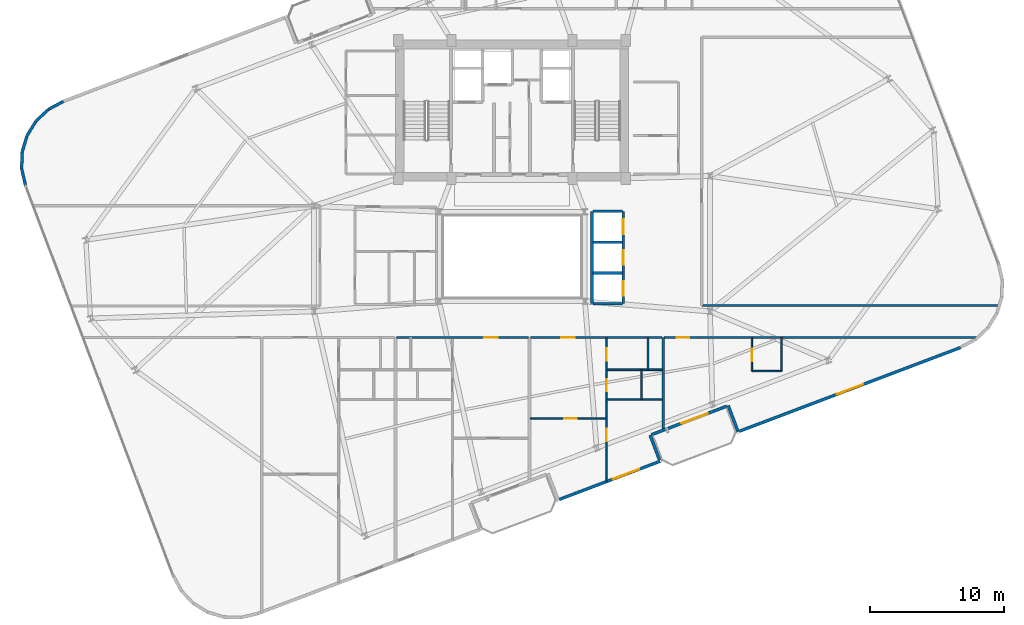
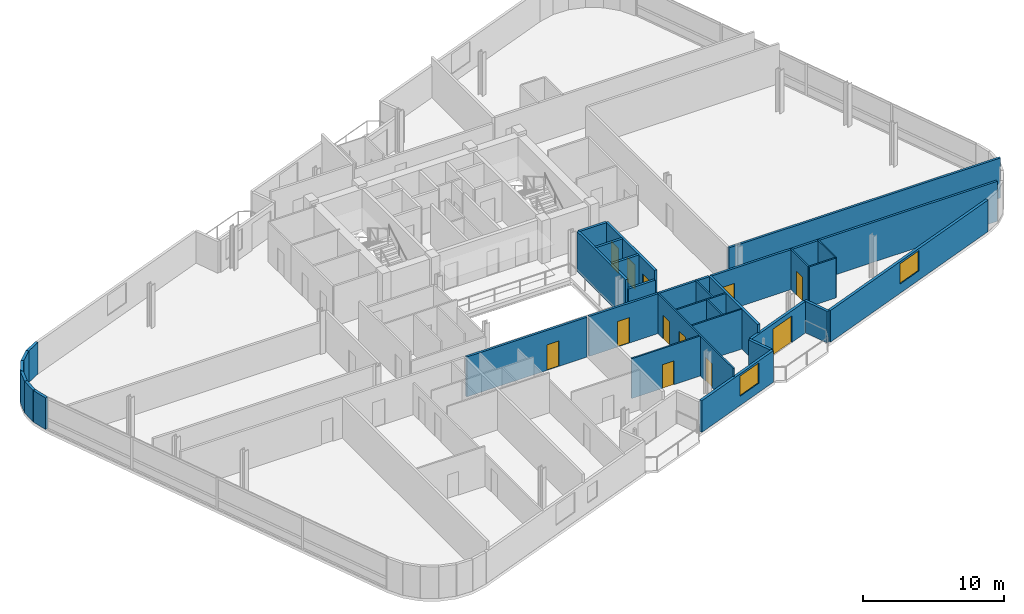
# One storey, part 15 of 20: 31 walls, 12 doors, 2 windows, 14 openings.
"""IFC4 building model written with IfcOpenShell, lengths in metres."""

from ifc_helpers import new_model, si_unit, direction, frame, frame_2d, origin, place, context, subcontext, project, spatial, rectangle, extrude, material, layer, layer_set, type_object, element, fill, save


model = new_model("IFC4")

# Units and contexts
model_context = context("Model", 3, precision=1e-05, world=origin(), true_north=direction((0.0, 1.0)))
body_context = subcontext(model_context, "Body", "Model", "MODEL_VIEW")
ifc_project = project(units=[si_unit("LENGTHUNIT", "METRE"), si_unit("AREAUNIT", "SQUARE_METRE"), si_unit("VOLUMEUNIT", "CUBIC_METRE"), si_unit("PLANEANGLEUNIT", "RADIAN"), si_unit("MASSUNIT", "GRAM", prefix="KILO")], contexts=[model_context])

# Site, building, storey
site_placement = place(None, origin())
site = spatial("IfcSite", under=ifc_project, at=site_placement, CompositionType="ELEMENT")
building_placement = place(site_placement, origin())
building = spatial("IfcBuilding", under=site, at=building_placement, Name="Varnelok Gate Tower", CompositionType="ELEMENT")
storey_placement = place(building_placement, frame((0.0, 0.0, 220.10009765625)))
storey = spatial("IfcBuildingStorey", under=building, at=storey_placement, Name="L56", CompositionType="ELEMENT", Elevation=220.10009765625)

# Wall, opening, door
ifc_material_1 = material(Name="Concrete C45/55", Category="concrete")
ifc_layer_1 = layer(ifc_material_1, 0.219970703125)
ifc_layer_set_1 = layer_set([ifc_layer_1], Name="Concrete C45/55")
wall_type_1 = type_object("IfcWallType", Name="EW-BALC-220", PredefinedType="SOLIDWALL", material=ifc_layer_set_1)
wall_1_placement = place(storey_placement, frame((55.25048828125, 11.712646484375, 0.0), z_axis=(0.0, 0.0, 1.0), x_axis=(-0.935227640088, -0.354046976001, 0.0)))
wall_1 = element("IfcWall", 1, at=wall_1_placement, inside=storey, type_object=wall_type_1, Name="L56 South Terrace Envelope Wall 2", PredefinedType="SOLIDWALL", context=body_context, shape_type="SweptSolid", body=[
    extrude(rectangle(XDim=6.0, YDim=0.219970703125, at=frame_2d((3.0, 0.0))), origin(), (0.0, 0.0, 1.0), 2.72998046875),
])
opening_1_placement = place(wall_1_placement, frame((1.51611328125, 0.0, 0.0)))
opening_1 = element("IfcOpeningElement", 2, at=opening_1_placement, cuts=wall_1, Name="Opening BD-2", PredefinedType="OPENING", context=body_context, shape_type="SweptSolid", body=[
    extrude(rectangle(XDim=2.10009765625, YDim=2.300048828125, at=frame_2d((1.050048828125, 1.14990234375))), frame((0.0, 0.119873046875, 0.0), z_axis=(0.0, -1.0, 0.0), x_axis=(1.0, 0.0, 0.0)), (0.0, 0.0, 1.0), 0.239990234375),
])
ifc_material_2 = material(Name="Anodized Aluminum Alloy 6063-T6", Category="aluminium")
door_type_1 = type_object("IfcDoorType", Name="DR-EXT-SLID2100", OperationType="SLIDING_TO_LEFT", PredefinedType="DOOR", material=ifc_material_2)
door_1_placement = place(opening_1_placement, origin())
door_1 = element("IfcDoor", 3, at=door_1_placement, inside=storey, type_object=door_type_1, Name="L56 South Balcony Glazed Door 2", OperationType="SLIDING_TO_LEFT", OverallHeight=2.300048828125, OverallWidth=2.10009765625, PredefinedType="DOOR", context=body_context, shape_type="SweptSolid", body=[
    extrude(rectangle(XDim=2.10009765625, YDim=2.300048828125, at=frame_2d((1.050048828125, 1.14990234375))), frame((0.0, 0.02490234375, 0.0), z_axis=(0.0, -1.0, 0.0), x_axis=(1.0, 0.0, 0.0)), (0.0, 0.0, 1.0), 0.050048828125),
])
fill(opening_1, door_1)

# Wall, opening, window
wall_2_placement = place(storey_placement, frame((42.75244140625, 4.746337890625, 0.0), z_axis=(0.0, 0.0, 1.0), x_axis=(0.935216926991, 0.354075273733, 0.0)))
wall_2 = element("IfcWall", 4, at=wall_2_placement, inside=storey, type_object=wall_type_1, Name="L56 Perimeter Facade Closure Wall 10", PredefinedType="SOLIDWALL", context=body_context, shape_type="SweptSolid", body=[
    extrude(rectangle(XDim=8.034912109375, YDim=0.219970703125, at=frame_2d((4.017578125, 0.0))), origin(), (0.0, 0.0, 1.0), 2.72998046875),
])
opening_2_placement = place(wall_2_placement, frame((4.273193359375, 0.0, 0.800048828125)))
opening_2 = element("IfcOpeningElement", 5, at=opening_2_placement, cuts=wall_2, Name="Opening WN4", PredefinedType="OPENING", context=body_context, shape_type="SweptSolid", body=[
    extrude(rectangle(XDim=2.10009765625, YDim=1.75, at=frame_2d((1.050048828125, 0.875))), frame((0.0, 0.119873046875, 0.0), z_axis=(0.0, -1.0, 0.0), x_axis=(1.0, 0.0, 0.0)), (0.0, 0.0, 1.0), 0.239990234375),
])
ifc_material_3 = material(Name="Low-E Laminated Double Glazing IGU", Category="glass")
window_type = type_object("IfcWindowType", Name="WN-SUI-2100", PartitioningType="SINGLE_PANEL", PredefinedType="WINDOW", material=ifc_material_3)
window_1_placement = place(opening_2_placement, origin())
window_1 = element("IfcWindow", 6, at=window_1_placement, inside=storey, type_object=window_type, Name="L56 Perimeter Vision Window 10", OverallHeight=1.75, OverallWidth=2.10009765625, PartitioningType="SINGLE_PANEL", PredefinedType="WINDOW", context=body_context, shape_type="SweptSolid", body=[
    extrude(rectangle(XDim=2.10009765625, YDim=1.75, at=frame_2d((1.050048828125, 0.875))), frame((0.0, 0.030029296875, 0.0), z_axis=(0.0, -1.0, 0.0), x_axis=(1.0, 0.0, 0.0)), (0.0, 0.0, 1.0), 0.06005859375),
])
fill(opening_2, window_1)

# Walls
wall_3_placement = place(storey_placement, frame((50.22265625, 7.7080078125, 0.0), z_axis=(0.0, 0.0, 1.0), x_axis=(-0.354020680661, 0.935237594232, 0.0)))
element("IfcWall", 7, at=wall_3_placement, inside=storey, type_object=wall_type_1, Name="L56 Perimeter Facade Closure Wall 11", PredefinedType="SOLIDWALL", context=body_context, shape_type="SweptSolid", body=[
    extrude(rectangle(XDim=1.97509765625, YDim=0.219970703125, at=frame_2d((0.987548828125, 0.0))), origin(), (0.0, 0.0, 1.0), 2.72998046875),
])
wall_4_placement = place(storey_placement, frame((55.359130859375, 11.764404296875, 0.0), z_axis=(0.0, 0.0, 1.0), x_axis=(0.354026782794, -0.935235284334, 0.0)))
element("IfcWall", 8, at=wall_4_placement, inside=storey, type_object=wall_type_1, Name="L56 Perimeter Facade Closure Wall 12", PredefinedType="SOLIDWALL", context=body_context, shape_type="SweptSolid", body=[
    extrude(rectangle(XDim=2.099853515625, YDim=0.219970703125, at=frame_2d((1.0498046875, 0.0))), origin(), (0.0, 0.0, 1.0), 2.72998046875),
])

# Wall, opening, window
wall_5_placement = place(storey_placement, frame((56.219482421875, 9.844970703125, 0.0), z_axis=(0.0, 0.0, 1.0), x_axis=(0.935225601791, 0.354052360188, 0.0)))
wall_5 = element("IfcWall", 9, at=wall_5_placement, inside=storey, type_object=wall_type_1, Name="L56 Perimeter Facade Closure Wall 13", PredefinedType="SOLIDWALL", context=body_context, shape_type="SweptSolid", body=[
    extrude(rectangle(XDim=17.647216796875, YDim=0.219970703125, at=frame_2d((8.82373046875, 0.0))), origin(), (0.0, 0.0, 1.0), 2.72998046875),
])
opening_3_placement = place(wall_5_placement, frame((7.773681640625, 0.0, 0.800048828125)))
opening_3 = element("IfcOpeningElement", 10, at=opening_3_placement, cuts=wall_5, Name="Opening WN4", PredefinedType="OPENING", context=body_context, shape_type="SweptSolid", body=[
    extrude(rectangle(XDim=2.10009765625, YDim=1.75, at=frame_2d((1.050048828125, 0.875))), frame((0.0, 0.119873046875, 0.0), z_axis=(0.0, -1.0, 0.0), x_axis=(1.0, 0.0, 0.0)), (0.0, 0.0, 1.0), 0.239990234375),
])
window_2_placement = place(opening_3_placement, origin())
window_2 = element("IfcWindow", 11, at=window_2_placement, inside=storey, type_object=window_type, Name="L56 Perimeter Vision Window 13", OverallHeight=1.75, OverallWidth=2.10009765625, PartitioningType="SINGLE_PANEL", PredefinedType="WINDOW", context=body_context, shape_type="SweptSolid", body=[
    extrude(rectangle(XDim=2.10009765625, YDim=1.75, at=frame_2d((1.050048828125, 0.875))), frame((0.0, 0.030029296875, 0.0), z_axis=(0.0, -1.0, 0.0), x_axis=(1.0, 0.0, 0.0)), (0.0, 0.0, 1.0), 0.06005859375),
])
fill(opening_3, window_2)

# Walls
wall_6_placement = place(storey_placement, frame((5.654296875, 34.4951171875, 0.0), z_axis=(0.0, 0.0, 1.0), x_axis=(-0.88098842986, -0.473137809155, 0.0)))
element("IfcWall", 12, at=wall_6_placement, inside=storey, type_object=wall_type_1, Name="L56 Perimeter Facade Closure Wall 33", PredefinedType="SOLIDWALL", context=body_context, shape_type="SweptSolid", body=[
    extrude(rectangle(XDim=1.25634765625, YDim=0.219970703125, at=frame_2d((0.628173828125, 0.0))), origin(), (0.0, 0.0, 1.0), 2.72998046875),
])
wall_7_placement = place(storey_placement, frame((4.529052734375, 33.883544921875, 0.0), z_axis=(0.0, 0.0, 1.0), x_axis=(-0.728475443486, -0.685071914647, 0.0)))
element("IfcWall", 13, at=wall_7_placement, inside=storey, type_object=wall_type_1, Name="L56 Perimeter Facade Closure Wall 34", PredefinedType="SOLIDWALL", context=body_context, shape_type="SweptSolid", body=[
    extrude(rectangle(XDim=1.248779296875, YDim=0.219970703125, at=frame_2d((0.62451171875, 0.0))), origin(), (0.0, 0.0, 1.0), 2.72998046875),
])
wall_8_placement = place(storey_placement, frame((3.606201171875, 33.0068359375, 0.0), z_axis=(0.0, 0.0, 1.0), x_axis=(-0.526408468713, -0.850231806078, 0.0)))
element("IfcWall", 14, at=wall_8_placement, inside=storey, type_object=wall_type_1, Name="L56 Perimeter Facade Closure Wall 35", PredefinedType="SOLIDWALL", context=body_context, shape_type="SweptSolid", body=[
    extrude(rectangle(XDim=1.24853515625, YDim=0.219970703125, at=frame_2d((0.624267578125, 0.0))), origin(), (0.0, 0.0, 1.0), 2.72998046875),
])
wall_9_placement = place(storey_placement, frame((2.941650390625, 31.92138671875, 0.0), z_axis=(0.0, 0.0, 1.0), x_axis=(-0.288352095019, -0.957524448408, 0.0)))
element("IfcWall", 15, at=wall_9_placement, inside=storey, type_object=wall_type_1, Name="L56 Perimeter Facade Closure Wall 36", PredefinedType="SOLIDWALL", context=body_context, shape_type="SweptSolid", body=[
    extrude(rectangle(XDim=1.248779296875, YDim=0.219970703125, at=frame_2d((0.62451171875, 0.0))), origin(), (0.0, 0.0, 1.0), 2.72998046875),
])
wall_10_placement = place(storey_placement, frame((2.580810546875, 30.70068359375, 0.0), z_axis=(0.0, 0.0, 1.0), x_axis=(-0.030697576053, -0.999528718359, 0.0)))
element("IfcWall", 16, at=wall_10_placement, inside=storey, type_object=wall_type_1, Name="L56 Perimeter Facade Closure Wall 37", PredefinedType="SOLIDWALL", context=body_context, shape_type="SweptSolid", body=[
    extrude(rectangle(XDim=1.24853515625, YDim=0.219970703125, at=frame_2d((0.624267578125, 0.0))), origin(), (0.0, 0.0, 1.0), 2.72998046875),
])
wall_11_placement = place(storey_placement, frame((2.548095703125, 29.428466796875, 0.0), z_axis=(0.0, 0.0, 1.0), x_axis=(0.228941257463, -0.973440239887, 0.0)))
element("IfcWall", 17, at=wall_11_placement, inside=storey, type_object=wall_type_1, Name="L56 Perimeter Facade Closure Wall 38", PredefinedType="SOLIDWALL", context=body_context, shape_type="SweptSolid", body=[
    extrude(rectangle(XDim=1.248779296875, YDim=0.219970703125, at=frame_2d((0.62451171875, 0.0))), origin(), (0.0, 0.0, 1.0), 2.72998046875),
])

# Wall, opening, door
ifc_material_4 = material(Name="Gypsum Plasterboard Acoustic Partition", Category="gypsum")
ifc_layer_2 = layer(ifc_material_4, 0.179931640625)
ifc_layer_set_2 = layer_set([ifc_layer_2], Name="Gypsum Plasterboard Acoustic Partition")
wall_type_2 = type_object("IfcWallType", Name="PW-CORR-180", PredefinedType="PARTITIONING", material=ifc_layer_set_2)
wall_12_placement = place(storey_placement, frame((30.580078125, 16.85009765625, 0.0), z_axis=(0.0, 0.0, 1.0), x_axis=(1.0, 0.0, 0.0)))
wall_12 = element("IfcWall", 18, at=wall_12_placement, inside=storey, type_object=wall_type_2, Name="Interior Partition", PredefinedType="PARTITIONING", context=body_context, shape_type="SweptSolid", body=[
    extrude(rectangle(XDim=9.83984375, YDim=0.179931640625, at=frame_2d((4.919921875, 0.0))), origin(), (0.0, 0.0, 1.0), 3.449951171875),
])
opening_4_placement = place(wall_12_placement, frame((6.537353515625, 0.0, 0.0)))
opening_4 = element("IfcOpeningElement", 19, at=opening_4_placement, cuts=wall_12, Name="Opening D-AP", PredefinedType="OPENING", context=body_context, shape_type="SweptSolid", body=[
    extrude(rectangle(XDim=1.0, YDim=2.199951171875, at=frame_2d((0.5, 1.10009765625))), frame((0.0, 0.099853515625, 0.0), z_axis=(0.0, -1.0, 0.0), x_axis=(1.0, 0.0, 0.0)), (0.0, 0.0, 1.0), 0.199951171875),
])
ifc_material_5 = material(Name="Engineered Hardwood Timber", Category="wood")
door_type_2 = type_object("IfcDoorType", Name="DR-APT-1000", OperationType="NOTDEFINED", PredefinedType="DOOR", material=ifc_material_5)
door_2_placement = place(opening_4_placement, origin())
door_2 = element("IfcDoor", 20, at=door_2_placement, inside=storey, type_object=door_type_2, Name="L56 Apartment 3 Entrance Door", OperationType="SINGLE_SWING_RIGHT", OverallHeight=2.199951171875, OverallWidth=1.0, PredefinedType="DOOR", context=body_context, shape_type="SweptSolid", body=[
    extrude(rectangle(XDim=1.0, YDim=2.199951171875, at=frame_2d((0.5, 1.10009765625))), frame((0.0, 0.02490234375, 0.0), z_axis=(0.0, -1.0, 0.0), x_axis=(1.0, 0.0, 0.0)), (0.0, 0.0, 1.0), 0.050048828125),
])
fill(opening_4, door_2)

wall_13_placement = place(storey_placement, frame((40.580078125, 16.85009765625, 0.0), z_axis=(0.0, 0.0, 1.0), x_axis=(1.0, 0.0, 0.0)))
wall_13 = element("IfcWall", 21, at=wall_13_placement, inside=storey, type_object=wall_type_2, Name="Interior Partition", PredefinedType="PARTITIONING", context=body_context, shape_type="SweptSolid", body=[
    extrude(rectangle(XDim=9.83984375, YDim=0.179931640625, at=frame_2d((4.919921875, 0.0))), origin(), (0.0, 0.0, 1.0), 3.449951171875),
])
opening_5_placement = place(wall_13_placement, frame((2.302490234375, 0.0, 0.0)))
opening_5 = element("IfcOpeningElement", 22, at=opening_5_placement, cuts=wall_13, Name="Opening D-AP", PredefinedType="OPENING", context=body_context, shape_type="SweptSolid", body=[
    extrude(rectangle(XDim=1.0, YDim=2.199951171875, at=frame_2d((0.5, 1.10009765625))), frame((0.0, 0.099853515625, 0.0), z_axis=(0.0, -1.0, 0.0), x_axis=(1.0, 0.0, 0.0)), (0.0, 0.0, 1.0), 0.199951171875),
])
door_3_placement = place(opening_5_placement, origin())
door_3 = element("IfcDoor", 23, at=door_3_placement, inside=storey, type_object=door_type_2, Name="L56 Apartment 4 Entrance Door", OperationType="SINGLE_SWING_LEFT", OverallHeight=2.199951171875, OverallWidth=1.0, PredefinedType="DOOR", context=body_context, shape_type="SweptSolid", body=[
    extrude(rectangle(XDim=1.0, YDim=2.199951171875, at=frame_2d((0.5, 1.10009765625))), frame((0.0, 0.02490234375, 0.0), z_axis=(0.0, -1.0, 0.0), x_axis=(1.0, 0.0, 0.0)), (0.0, 0.0, 1.0), 0.050048828125),
])
fill(opening_5, door_3)

wall_14_placement = place(storey_placement, frame((50.580078125, 16.85009765625, 0.0), z_axis=(0.0, 0.0, 1.0), x_axis=(1.0, 0.0, 0.0)))
wall_14 = element("IfcWall", 24, at=wall_14_placement, inside=storey, type_object=wall_type_2, Name="Interior Partition", PredefinedType="PARTITIONING", context=body_context, shape_type="SweptSolid", body=[
    extrude(rectangle(XDim=23.403564453125, YDim=0.179931640625, at=frame_2d((11.70166015625, 0.0))), origin(), (0.0, 0.0, 1.0), 3.449951171875),
])
opening_6_placement = place(wall_14_placement, frame((0.9345703125, 0.0, 0.0)))
opening_6 = element("IfcOpeningElement", 25, at=opening_6_placement, cuts=wall_14, Name="Opening D-HT", PredefinedType="OPENING", context=body_context, shape_type="SweptSolid", body=[
    extrude(rectangle(XDim=0.949951171875, YDim=2.14990234375, at=frame_2d((0.47509765625, 1.074951171875))), frame((0.0, 0.099853515625, 0.0), z_axis=(0.0, -1.0, 0.0), x_axis=(1.0, 0.0, 0.0)), (0.0, 0.0, 1.0), 0.199951171875),
])
door_type_3 = type_object("IfcDoorType", Name="DR-HTL-950", OperationType="NOTDEFINED", PredefinedType="DOOR", material=ifc_material_5)
door_4_placement = place(opening_6_placement, origin())
door_4 = element("IfcDoor", 26, at=door_4_placement, inside=storey, type_object=door_type_3, Name="L56 Guest Room 05 Entrance Door", OperationType="SINGLE_SWING_RIGHT", OverallHeight=2.14990234375, OverallWidth=0.949951171875, PredefinedType="DOOR", context=body_context, shape_type="SweptSolid", body=[
    extrude(rectangle(XDim=0.949951171875, YDim=2.14990234375, at=frame_2d((0.47509765625, 1.074951171875))), frame((0.0, 0.02490234375, 0.0), z_axis=(0.0, -1.0, 0.0), x_axis=(1.0, 0.0, 0.0)), (0.0, 0.0, 1.0), 0.050048828125),
])
fill(opening_6, door_4)

# Walls
wall_15_placement = place(storey_placement, frame((53.389892578125, 19.239990234375, 0.0), z_axis=(0.0, 0.0, 1.0), x_axis=(1.0, 0.0, 0.0)))
element("IfcWall", 27, at=wall_15_placement, inside=storey, type_object=wall_type_2, Name="Interior Partition", PredefinedType="PARTITIONING", context=body_context, shape_type="SweptSolid", body=[
    extrude(rectangle(XDim=22.216552734375, YDim=0.179931640625, at=frame_2d((11.1083984375, 0.0))), origin(), (0.0, 0.0, 1.0), 3.449951171875),
])
ifc_layer_3 = layer(ifc_material_4, 0.114990234375)
ifc_layer_set_3 = layer_set([ifc_layer_3], Name="Gypsum Plasterboard Acoustic Partition")
wall_type_3 = type_object("IfcWallType", Name="PW-ENS-125", PredefinedType="PARTITIONING", material=ifc_layer_set_3)
wall_16_placement = place(storey_placement, frame((46.3251953125, 12.199951171875, 0.0), z_axis=(0.0, 0.0, 1.0), x_axis=(1.0, 0.0, 0.0)))
element("IfcWall", 28, at=wall_16_placement, inside=storey, type_object=wall_type_3, Name="Interior Partition", PredefinedType="PARTITIONING", context=body_context, shape_type="SweptSolid", body=[
    extrude(rectangle(XDim=4.0947265625, YDim=0.114990234375, at=frame_2d((2.04736328125, 0.0))), origin(), (0.0, 0.0, 1.0), 3.449951171875),
])
wall_17_placement = place(storey_placement, frame((48.865234375, 12.199951171875, 0.0), z_axis=(0.0, 0.0, 1.0), x_axis=(0.0, 1.0, 0.0)))
element("IfcWall", 29, at=wall_17_placement, inside=storey, type_object=wall_type_3, Name="Interior Partition", PredefinedType="PARTITIONING", context=body_context, shape_type="SweptSolid", body=[
    extrude(rectangle(XDim=2.239990234375, YDim=0.114990234375, at=frame_2d((1.1201171875, 0.0))), origin(), (0.0, 0.0, 1.0), 3.449951171875),
])
wall_18_placement = place(storey_placement, frame((57.169921875, 14.330078125, 0.0), z_axis=(0.0, 0.0, 1.0), x_axis=(1.0, 0.0, 0.0)))
element("IfcWall", 30, at=wall_18_placement, inside=storey, type_object=wall_type_3, Name="Interior Partition", PredefinedType="PARTITIONING", context=body_context, shape_type="SweptSolid", body=[
    extrude(rectangle(XDim=2.150146484375, YDim=0.114990234375, at=frame_2d((1.0751953125, 0.0))), origin(), (0.0, 0.0, 1.0), 3.449951171875),
])

# Wall, opening, door
wall_19_placement = place(storey_placement, frame((57.1298828125, 14.330078125, 0.0), z_axis=(0.0, 0.0, 1.0), x_axis=(0.0, 1.0, 0.0)))
wall_19 = element("IfcWall", 31, at=wall_19_placement, inside=storey, type_object=wall_type_3, Name="Interior Partition", PredefinedType="PARTITIONING", context=body_context, shape_type="SweptSolid", body=[
    extrude(rectangle(XDim=2.52001953125, YDim=0.114990234375, at=frame_2d((1.260009765625, 0.0))), origin(), (0.0, 0.0, 1.0), 3.449951171875),
])
opening_7_placement = place(wall_19_placement, frame((0.760009765625, 0.0, 0.0)))
opening_7 = element("IfcOpeningElement", 32, at=opening_7_placement, cuts=wall_19, Name="Opening D-WC", PredefinedType="OPENING", context=body_context, shape_type="SweptSolid", body=[
    extrude(rectangle(XDim=0.89990234375, YDim=2.050048828125, at=frame_2d((0.449951171875, 1.02490234375))), frame((0.0, 0.0673828125, 0.0), z_axis=(0.0, -1.0, 0.0), x_axis=(1.0, 0.0, 0.0)), (0.0, 0.0, 1.0), 0.135009765625),
])
door_type_4 = type_object("IfcDoorType", Name="DR-BATH-900", OperationType="NOTDEFINED", PredefinedType="DOOR", material=ifc_material_5)
door_5_placement = place(opening_7_placement, origin())
door_5 = element("IfcDoor", 33, at=door_5_placement, inside=storey, type_object=door_type_4, Name="L56 Guest En-Suite 05 Door", OperationType="SINGLE_SWING_RIGHT", OverallHeight=2.050048828125, OverallWidth=0.89990234375, PredefinedType="DOOR", context=body_context, shape_type="SweptSolid", body=[
    extrude(rectangle(XDim=0.89990234375, YDim=2.050048828125, at=frame_2d((0.449951171875, 1.02490234375))), frame((0.0, 0.02490234375, 0.0), z_axis=(0.0, -1.0, 0.0), x_axis=(1.0, 0.0, 0.0)), (0.0, 0.0, 1.0), 0.050048828125),
])
fill(opening_7, door_5)

# Wall
wall_20_placement = place(storey_placement, frame((59.360107421875, 14.330078125, 0.0), z_axis=(0.0, 0.0, 1.0), x_axis=(0.0, 1.0, 0.0)))
element("IfcWall", 34, at=wall_20_placement, inside=storey, type_object=wall_type_3, Name="Interior Partition", PredefinedType="PARTITIONING", context=body_context, shape_type="SweptSolid", body=[
    extrude(rectangle(XDim=2.52001953125, YDim=0.114990234375, at=frame_2d((1.260009765625, 0.0))), origin(), (0.0, 0.0, 1.0), 3.449951171875),
])

# Wall, opening, door
ifc_layer_4 = layer(ifc_material_4, 0.125)
ifc_layer_set_4 = layer_set([ifc_layer_4], Name="Gypsum Plasterboard Acoustic Partition")
wall_type_4 = type_object("IfcWallType", Name="PW-PART-125", PredefinedType="PARTITIONING", material=ifc_layer_set_4)
wall_21_placement = place(storey_placement, frame((40.580078125, 10.8017578125, 0.0), z_axis=(0.0, 0.0, 1.0), x_axis=(1.0, 0.0, 0.0)))
wall_21 = element("IfcWall", 35, at=wall_21_placement, inside=storey, type_object=wall_type_4, Name="Interior Partition", PredefinedType="PARTITIONING", context=body_context, shape_type="SweptSolid", body=[
    extrude(rectangle(XDim=5.605224609375, YDim=0.125, at=frame_2d((2.802734375, 0.0))), origin(), (0.0, 0.0, 1.0), 3.449951171875),
])
opening_8_placement = place(wall_21_placement, frame((2.522216796875, 0.0, 0.0)))
opening_8 = element("IfcOpeningElement", 36, at=opening_8_placement, cuts=wall_21, Name="Opening D-I3", PredefinedType="OPENING", context=body_context, shape_type="SweptSolid", body=[
    extrude(rectangle(XDim=0.919921875, YDim=2.050048828125, at=frame_2d((0.4599609375, 1.02490234375))), frame((0.0, 0.072509765625, 0.0), z_axis=(0.0, -1.0, 0.0), x_axis=(1.0, 0.0, 0.0)), (0.0, 0.0, 1.0), 0.14501953125),
])
door_type_5 = type_object("IfcDoorType", Name="DR-INT-920", OperationType="NOTDEFINED", PredefinedType="DOOR", material=ifc_material_5)
door_6_placement = place(opening_8_placement, origin())
door_6 = element("IfcDoor", 37, at=door_6_placement, inside=storey, type_object=door_type_5, Name="L56 Apartment 4 Study Door", OperationType="SINGLE_SWING_LEFT", OverallHeight=2.050048828125, OverallWidth=0.919921875, PredefinedType="DOOR", context=body_context, shape_type="SweptSolid", body=[
    extrude(rectangle(XDim=0.919921875, YDim=2.050048828125, at=frame_2d((0.4599609375, 1.02490234375))), frame((0.0, 0.02490234375, 0.0), z_axis=(0.0, -1.0, 0.0), x_axis=(1.0, 0.0, 0.0)), (0.0, 0.0, 1.0), 0.050048828125),
])
fill(opening_8, door_6)

# Wall, openings, doors
wall_22_placement = place(storey_placement, frame((46.255126953125, 6.093994140625, 0.0), z_axis=(0.0, 0.0, 1.0), x_axis=(0.0, 1.0, 0.0)))
wall_22 = element("IfcWall", 38, at=wall_22_placement, inside=storey, type_object=wall_type_4, Name="Interior Partition", PredefinedType="PARTITIONING", context=body_context, shape_type="SweptSolid", body=[
    extrude(rectangle(XDim=10.756103515625, YDim=0.125, at=frame_2d((5.3779296875, 0.0))), origin(), (0.0, 0.0, 1.0), 3.449951171875),
])
opening_9_placement = place(wall_22_placement, frame((3.00341796875, 0.0, 0.0)))
opening_9 = element("IfcOpeningElement", 39, at=opening_9_placement, cuts=wall_22, Name="Opening D-I3", PredefinedType="OPENING", context=body_context, shape_type="SweptSolid", body=[
    extrude(rectangle(XDim=0.919921875, YDim=2.050048828125, at=frame_2d((0.4599609375, 1.02490234375))), frame((0.0, 0.072509765625, 0.0), z_axis=(0.0, -1.0, 0.0), x_axis=(1.0, 0.0, 0.0)), (0.0, 0.0, 1.0), 0.14501953125),
])
opening_10_placement = place(wall_22_placement, frame((6.7333984375, 0.0, 0.0)))
opening_10 = element("IfcOpeningElement", 40, at=opening_10_placement, cuts=wall_22, Name="Opening D-WC", PredefinedType="OPENING", context=body_context, shape_type="SweptSolid", body=[
    extrude(rectangle(XDim=0.89990234375, YDim=2.050048828125, at=frame_2d((0.449951171875, 1.02490234375))), frame((0.0, 0.072509765625, 0.0), z_axis=(0.0, -1.0, 0.0), x_axis=(1.0, 0.0, 0.0)), (0.0, 0.0, 1.0), 0.14501953125),
])
opening_11_placement = place(wall_22_placement, frame((9.026123046875, 0.0, 0.0)))
opening_11 = element("IfcOpeningElement", 41, at=opening_11_placement, cuts=wall_22, Name="Opening D-I3", PredefinedType="OPENING", context=body_context, shape_type="SweptSolid", body=[
    extrude(rectangle(XDim=0.919921875, YDim=2.050048828125, at=frame_2d((0.4599609375, 1.02490234375))), frame((0.0, 0.072509765625, 0.0), z_axis=(0.0, -1.0, 0.0), x_axis=(1.0, 0.0, 0.0)), (0.0, 0.0, 1.0), 0.14501953125),
])
door_7_placement = place(opening_10_placement, origin())
door_7 = element("IfcDoor", 42, at=door_7_placement, inside=storey, type_object=door_type_4, Name="L56 Apartment 4 Bathroom Door", OperationType="SINGLE_SWING_LEFT", OverallHeight=2.050048828125, OverallWidth=0.89990234375, PredefinedType="DOOR", context=body_context, shape_type="SweptSolid", body=[
    extrude(rectangle(XDim=0.89990234375, YDim=2.050048828125, at=frame_2d((0.449951171875, 1.02490234375))), frame((0.0, 0.02490234375, 0.0), z_axis=(0.0, -1.0, 0.0), x_axis=(1.0, 0.0, 0.0)), (0.0, 0.0, 1.0), 0.050048828125),
])
fill(opening_10, door_7)
door_8_placement = place(opening_9_placement, origin())
door_8 = element("IfcDoor", 43, at=door_8_placement, inside=storey, type_object=door_type_5, Name="L56 Apartment 4 Bedroom Door", OperationType="SINGLE_SWING_RIGHT", OverallHeight=2.050048828125, OverallWidth=0.919921875, PredefinedType="DOOR", context=body_context, shape_type="SweptSolid", body=[
    extrude(rectangle(XDim=0.919921875, YDim=2.050048828125, at=frame_2d((0.4599609375, 1.02490234375))), frame((0.0, 0.02490234375, 0.0), z_axis=(0.0, -1.0, 0.0), x_axis=(1.0, 0.0, 0.0)), (0.0, 0.0, 1.0), 0.050048828125),
])
fill(opening_9, door_8)
door_9_placement = place(opening_11_placement, origin())
door_9 = element("IfcDoor", 44, at=door_9_placement, inside=storey, type_object=door_type_5, Name="L56 Apartment 4 Kitchen Door", OperationType="SINGLE_SWING_RIGHT", OverallHeight=2.050048828125, OverallWidth=0.919921875, PredefinedType="DOOR", context=body_context, shape_type="SweptSolid", body=[
    extrude(rectangle(XDim=0.919921875, YDim=2.050048828125, at=frame_2d((0.4599609375, 1.02490234375))), frame((0.0, 0.02490234375, 0.0), z_axis=(0.0, -1.0, 0.0), x_axis=(1.0, 0.0, 0.0)), (0.0, 0.0, 1.0), 0.050048828125),
])
fill(opening_11, door_9)

# Walls
wall_23_placement = place(storey_placement, frame((46.3251953125, 14.43994140625, 0.0), z_axis=(0.0, 0.0, 1.0), x_axis=(1.0, 0.0, 0.0)))
element("IfcWall", 45, at=wall_23_placement, inside=storey, type_object=wall_type_4, Name="Interior Partition", PredefinedType="PARTITIONING", context=body_context, shape_type="SweptSolid", body=[
    extrude(rectangle(XDim=4.0947265625, YDim=0.125, at=frame_2d((2.04736328125, 0.0))), origin(), (0.0, 0.0, 1.0), 3.449951171875),
])
wall_24_placement = place(storey_placement, frame((49.365234375, 14.43994140625, 0.0), z_axis=(0.0, 0.0, 1.0), x_axis=(0.0, 1.0, 0.0)))
element("IfcWall", 46, at=wall_24_placement, inside=storey, type_object=wall_type_4, Name="Interior Partition", PredefinedType="PARTITIONING", context=body_context, shape_type="SweptSolid", body=[
    extrude(rectangle(XDim=2.41015625, YDim=0.125, at=frame_2d((1.205078125, 0.0))), origin(), (0.0, 0.0, 1.0), 3.449951171875),
])
ifc_layer_5 = layer(ifc_material_4, 0.205078125)
ifc_layer_set_5 = layer_set([ifc_layer_5], Name="Gypsum Plasterboard Acoustic Partition")
wall_type_5 = type_object("IfcWallType", Name="PW-PARTY-200", PredefinedType="PARTITIONING", material=ifc_layer_set_5)
wall_25_placement = place(storey_placement, frame((50.5, 9.9462890625, 0.0), z_axis=(0.0, 0.0, 1.0), x_axis=(0.0, 1.0, 0.0)))
element("IfcWall", 47, at=wall_25_placement, inside=storey, type_object=wall_type_5, Name="L56 South Party Wall 4", PredefinedType="PARTITIONING", context=body_context, shape_type="SweptSolid", body=[
    extrude(rectangle(XDim=6.90380859375, YDim=0.205078125, at=frame_2d((3.451904296875, 0.0))), origin(), (0.0, 0.0, 1.0), 3.449951171875),
])
ifc_material_6 = material(Name="Concrete C35/45", Category="concrete")
ifc_layer_6 = layer(ifc_material_6, 0.199951171875)
ifc_layer_set_6 = layer_set([ifc_layer_6], Name="Concrete C35/45")
wall_type_6 = type_object("IfcWallType", Name="PW-SHAFT-200", PredefinedType="PARTITIONING", material=ifc_layer_set_6)
for number, where, z_axis, x_axis, name in (
    (48, (45.239990234375, 21.675048828125, 0.0), (0.0, 0.0, 1.0), (1.0, 0.0, 0.0), "L56 PH1 Divider"),
    (49, (45.239990234375, 23.97509765625, 0.0), (0.0, 0.0, 1.0), (1.0, 0.0, 0.0), "L56 PH2 Divider"),
):
    element("IfcWall", number, at=place(storey_placement, frame(where, z_axis=z_axis, x_axis=x_axis)), inside=storey, type_object=wall_type_6, Name=name, PredefinedType="PARTITIONING", context=body_context, shape_type="SweptSolid", body=[
        extrude(rectangle(XDim=2.219970703125, YDim=0.199951171875, at=frame_2d((1.10986328125, 0.0))), origin(), (0.0, 0.0, 1.0), 3.449951171875),
    ])
wall_26_placement = place(storey_placement, frame((45.239990234375, 19.3798828125, 0.0), z_axis=(0.0, 0.0, 1.0), x_axis=(1.0, 0.0, 0.0)))
element("IfcWall", 50, at=wall_26_placement, inside=storey, type_object=wall_type_6, Name="L56 PH Bank South Wall", PredefinedType="PARTITIONING", context=body_context, shape_type="SweptSolid", body=[
    extrude(rectangle(XDim=2.219970703125, YDim=0.199951171875, at=frame_2d((1.10986328125, 0.0))), origin(), (0.0, 0.0, 1.0), 2.661865234375),
])
wall_27_placement = place(storey_placement, frame((45.239990234375, 26.280029296875, 0.0), z_axis=(0.0, 0.0, 1.0), x_axis=(1.0, 0.0, 0.0)))
element("IfcWall", 51, at=wall_27_placement, inside=storey, type_object=wall_type_6, Name="L56 PH Bank North Wall", PredefinedType="PARTITIONING", context=body_context, shape_type="SweptSolid", body=[
    extrude(rectangle(XDim=2.219970703125, YDim=0.199951171875, at=frame_2d((1.10986328125, 0.0))), origin(), (0.0, 0.0, 1.0), 3.449951171875),
])
wall_28_placement = place(storey_placement, frame((45.179931640625, 19.3798828125, 0.0), z_axis=(0.0, 0.0, 1.0), x_axis=(0.0, 1.0, 0.0)))
element("IfcWall", 52, at=wall_28_placement, inside=storey, type_object=wall_type_6, Name="L56 PH Bank Atrium Wall", PredefinedType="PARTITIONING", context=body_context, shape_type="SweptSolid", body=[
    extrude(rectangle(XDim=6.900146484375, YDim=0.199951171875, at=frame_2d((3.4501953125, 0.0))), origin(), (0.0, 0.0, 1.0), 3.449951171875),
])

# Wall, openings, doors
wall_29_placement = place(storey_placement, frame((47.52001953125, 19.3798828125, 0.0), z_axis=(0.0, 0.0, 1.0), x_axis=(0.0, 1.0, 0.0)))
wall_29 = element("IfcWall", 53, at=wall_29_placement, inside=storey, type_object=wall_type_6, Name="L56 PH Bank Front Wall", PredefinedType="PARTITIONING", context=body_context, shape_type="SweptSolid", body=[
    extrude(rectangle(XDim=6.900146484375, YDim=0.199951171875, at=frame_2d((3.4501953125, 0.0))), origin(), (0.0, 0.0, 1.0), 3.449951171875),
])
opening_12_placement = place(wall_29_placement, frame((0.590087890625, 0.0, 0.0)))
opening_12 = element("IfcOpeningElement", 54, at=opening_12_placement, cuts=wall_29, Name="Opening LD-PH1", PredefinedType="OPENING", context=body_context, shape_type="SweptSolid", body=[
    extrude(rectangle(XDim=1.10009765625, YDim=2.14990234375, at=frame_2d((0.550048828125, 1.074951171875))), frame((0.0, 0.10986328125, 0.0), z_axis=(0.0, -1.0, 0.0), x_axis=(1.0, 0.0, 0.0)), (0.0, 0.0, 1.0), 0.219970703125),
])
opening_13_placement = place(wall_29_placement, frame((2.889892578125, 0.0, 0.0)))
opening_13 = element("IfcOpeningElement", 55, at=opening_13_placement, cuts=wall_29, Name="Opening LD-PH2", PredefinedType="OPENING", context=body_context, shape_type="SweptSolid", body=[
    extrude(rectangle(XDim=1.10009765625, YDim=2.14990234375, at=frame_2d((0.550048828125, 1.074951171875))), frame((0.0, 0.10986328125, 0.0), z_axis=(0.0, -1.0, 0.0), x_axis=(1.0, 0.0, 0.0)), (0.0, 0.0, 1.0), 0.219970703125),
])
opening_14_placement = place(wall_29_placement, frame((5.18994140625, 0.0, 0.0)))
opening_14 = element("IfcOpeningElement", 56, at=opening_14_placement, cuts=wall_29, Name="Opening LD-PH3", PredefinedType="OPENING", context=body_context, shape_type="SweptSolid", body=[
    extrude(rectangle(XDim=1.10009765625, YDim=2.14990234375, at=frame_2d((0.550048828125, 1.074951171875))), frame((0.0, 0.10986328125, 0.0), z_axis=(0.0, -1.0, 0.0), x_axis=(1.0, 0.0, 0.0)), (0.0, 0.0, 1.0), 0.219970703125),
])
ifc_material_7 = material(Name="Galvanized Steel Grade S350GD", Category="steel")
door_type_6 = type_object("IfcDoorType", Name="DR-LIFT-PAX1100", OperationType="SLIDING_TO_LEFT", PredefinedType="DOOR", material=ifc_material_7)
door_10_placement = place(opening_12_placement, origin())
door_10 = element("IfcDoor", 57, at=door_10_placement, inside=storey, type_object=door_type_6, Name="L56 Passenger Lift Landing Door LD-PH1", OperationType="SLIDING_TO_LEFT", OverallHeight=2.14990234375, OverallWidth=1.10009765625, PredefinedType="DOOR", context=body_context, shape_type="SweptSolid", body=[
    extrude(rectangle(XDim=1.10009765625, YDim=2.14990234375, at=frame_2d((0.550048828125, 1.074951171875))), frame((0.0, 0.02490234375, 0.0), z_axis=(0.0, -1.0, 0.0), x_axis=(1.0, 0.0, 0.0)), (0.0, 0.0, 1.0), 0.050048828125),
])
fill(opening_12, door_10)
door_11_placement = place(opening_13_placement, origin())
door_11 = element("IfcDoor", 58, at=door_11_placement, inside=storey, type_object=door_type_6, Name="L56 Passenger Lift Landing Door LD-PH2", OperationType="SLIDING_TO_LEFT", OverallHeight=2.14990234375, OverallWidth=1.10009765625, PredefinedType="DOOR", context=body_context, shape_type="SweptSolid", body=[
    extrude(rectangle(XDim=1.10009765625, YDim=2.14990234375, at=frame_2d((0.550048828125, 1.074951171875))), frame((0.0, 0.02490234375, 0.0), z_axis=(0.0, -1.0, 0.0), x_axis=(1.0, 0.0, 0.0)), (0.0, 0.0, 1.0), 0.050048828125),
])
fill(opening_13, door_11)
door_12_placement = place(opening_14_placement, origin())
door_12 = element("IfcDoor", 59, at=door_12_placement, inside=storey, type_object=door_type_6, Name="L56 Passenger Lift Landing Door LD-PH3", OperationType="SLIDING_TO_LEFT", OverallHeight=2.14990234375, OverallWidth=1.10009765625, PredefinedType="DOOR", context=body_context, shape_type="SweptSolid", body=[
    extrude(rectangle(XDim=1.10009765625, YDim=2.14990234375, at=frame_2d((0.550048828125, 1.074951171875))), frame((0.0, 0.02490234375, 0.0), z_axis=(0.0, -1.0, 0.0), x_axis=(1.0, 0.0, 0.0)), (0.0, 0.0, 1.0), 0.050048828125),
])
fill(opening_14, door_12)

save(model, "model.ifc")
